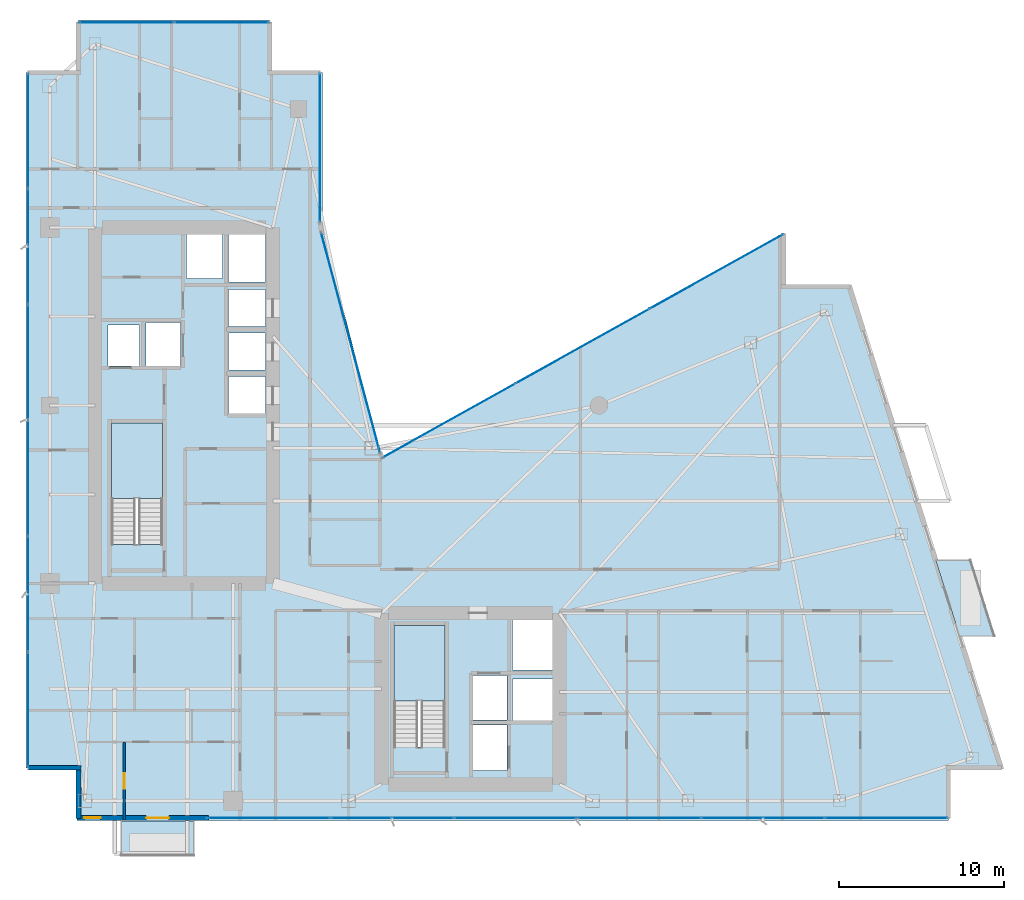
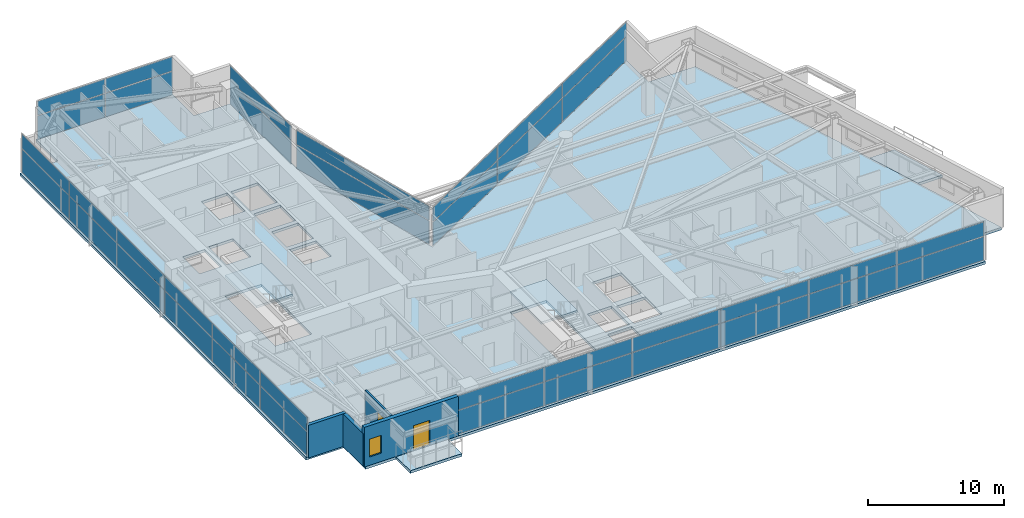
# One storey, part 21 of 28: 38 plates, 5 slabs, 4 walls, 2 doors, 1 window, 3 openings, 8 elements without a shape of their own.
"""IFC4 building model written with IfcOpenShell, lengths in metres."""

from ifc_helpers import new_model, si_unit, direction, frame, frame_2d, origin, origin_2d, place, context, subcontext, project, spatial, polyline, rectangle, outline, extrude, material, layer, layer_set, type_object, element, fill, aggregate, save


model = new_model("IFC4")

# Units and contexts
model_context = context("Model", 3, precision=1e-05, world=origin(), true_north=direction((0.0, 1.0)))
body_context = subcontext(model_context, "Body", "Model", "MODEL_VIEW")
ifc_project = project(units=[si_unit("LENGTHUNIT", "METRE"), si_unit("AREAUNIT", "SQUARE_METRE"), si_unit("VOLUMEUNIT", "CUBIC_METRE"), si_unit("PLANEANGLEUNIT", "RADIAN"), si_unit("MASSUNIT", "GRAM", prefix="KILO")], contexts=[model_context])

# Site, building, storey
site_placement = place(None, origin())
site = spatial("IfcSite", under=ifc_project, at=site_placement, CompositionType="ELEMENT")
building_placement = place(site_placement, origin())
building = spatial("IfcBuilding", under=site, at=building_placement, Name="Calvorn Quay Hotel", CompositionType="ELEMENT")
storey_placement = place(building_placement, frame((0.0, 0.0, 156.10009765625)))
storey = spatial("IfcBuildingStorey", under=building, at=storey_placement, Name="L38", CompositionType="ELEMENT", Elevation=156.10009765625)

# Curtain wall, plates
ifc_material_1 = material(Name="Pale Anodised Aluminium and Low-E Glass", Category="aluminium")
ifc_layer_1 = layer(ifc_material_1, 0.219970703125)
ifc_layer_set_1 = layer_set([ifc_layer_1], Name="CW-SYS-Z2")
curtain_wall_type = type_object("IfcCurtainWallType", Name="CW-SYS-Z2", PredefinedType="NOTDEFINED", material=ifc_layer_set_1)
curtain_wall_1_placement = place(storey_placement, origin())
curtain_wall_1 = element("IfcCurtainWall", 1, at=curtain_wall_1_placement, inside=storey, type_object=curtain_wall_type, Name="Tower West Curtain Wall (L38)", PredefinedType="NOTDEFINED")
ifc_material_2 = material(Name="Low-E Laminated Double Glazing", Category="glass")
ifc_layer_2 = layer(ifc_material_2, 0.028076171875)
ifc_layer_set_2 = layer_set([ifc_layer_2], Name="CW-SYS-Z2-PAN")
plate_type = type_object("IfcPlateType", Name="CW-SYS-Z2-PAN", PredefinedType="CURTAIN_PANEL", material=ifc_layer_set_2)
plate_1_placement = place(storey_placement, frame((0.14990234375, 9.131591796875, 0.06005859375), z_axis=(0.0, 0.0, 1.0), x_axis=(0.0, 1.0, 0.0)))
plate_1 = element("IfcPlate", 2, at=plate_1_placement, type_object=plate_type, Name="CW-L38-W panel 1.1", PredefinedType="CURTAIN_PANEL", context=body_context, shape_type="SweptSolid", body=[
    extrude(rectangle(XDim=6.943359375, YDim=0.028076171875, at=origin_2d()), origin(), (0.0, 0.0, 1.0), 2.110107421875),
])
plate_2_placement = place(storey_placement, frame((0.14990234375, 9.131591796875, 2.22998046875), z_axis=(0.0, 0.0, 1.0), x_axis=(0.0, 1.0, 0.0)))
plate_2 = element("IfcPlate", 3, at=plate_2_placement, type_object=plate_type, Name="CW-L38-W panel 1.2", PredefinedType="CURTAIN_PANEL", context=body_context, shape_type="SweptSolid", body=[
    extrude(rectangle(XDim=6.943359375, YDim=0.028076171875, at=origin_2d()), origin(), (0.0, 0.0, 1.0), 1.27001953125),
])
plate_3_placement = place(storey_placement, frame((0.14990234375, 16.14990234375, 0.06005859375), z_axis=(0.0, 0.0, 1.0), x_axis=(0.0, 1.0, 0.0)))
plate_3 = element("IfcPlate", 4, at=plate_3_placement, type_object=plate_type, Name="CW-L38-W panel 2.1", PredefinedType="CURTAIN_PANEL", context=body_context, shape_type="SweptSolid", body=[
    extrude(rectangle(XDim=6.973388671875, YDim=0.028076171875, at=origin_2d()), origin(), (0.0, 0.0, 1.0), 2.110107421875),
])
plate_4_placement = place(storey_placement, frame((0.14990234375, 16.14990234375, 2.22998046875), z_axis=(0.0, 0.0, 1.0), x_axis=(0.0, 1.0, 0.0)))
plate_4 = element("IfcPlate", 5, at=plate_4_placement, type_object=plate_type, Name="CW-L38-W panel 2.2", PredefinedType="CURTAIN_PANEL", context=body_context, shape_type="SweptSolid", body=[
    extrude(rectangle(XDim=6.973388671875, YDim=0.028076171875, at=origin_2d()), origin(), (0.0, 0.0, 1.0), 1.27001953125),
])
plate_5_placement = place(storey_placement, frame((0.14990234375, 23.183349609375, 0.06005859375), z_axis=(0.0, 0.0, 1.0), x_axis=(0.0, 1.0, 0.0)))
plate_5 = element("IfcPlate", 6, at=plate_5_placement, type_object=plate_type, Name="CW-L38-W panel 3.1", PredefinedType="CURTAIN_PANEL", context=body_context, shape_type="SweptSolid", body=[
    extrude(rectangle(XDim=6.973388671875, YDim=0.028076171875, at=origin_2d()), origin(), (0.0, 0.0, 1.0), 2.110107421875),
])
plate_6_placement = place(storey_placement, frame((0.14990234375, 23.183349609375, 2.22998046875), z_axis=(0.0, 0.0, 1.0), x_axis=(0.0, 1.0, 0.0)))
plate_6 = element("IfcPlate", 7, at=plate_6_placement, type_object=plate_type, Name="CW-L38-W panel 3.2", PredefinedType="CURTAIN_PANEL", context=body_context, shape_type="SweptSolid", body=[
    extrude(rectangle(XDim=6.973388671875, YDim=0.028076171875, at=origin_2d()), origin(), (0.0, 0.0, 1.0), 1.27001953125),
])
plate_7_placement = place(storey_placement, frame((0.14990234375, 30.216552734375, 0.06005859375), z_axis=(0.0, 0.0, 1.0), x_axis=(0.0, 1.0, 0.0)))
plate_7 = element("IfcPlate", 8, at=plate_7_placement, type_object=plate_type, Name="CW-L38-W panel 4.1", PredefinedType="CURTAIN_PANEL", context=body_context, shape_type="SweptSolid", body=[
    extrude(rectangle(XDim=6.973388671875, YDim=0.028076171875, at=origin_2d()), origin(), (0.0, 0.0, 1.0), 2.110107421875),
])
plate_8_placement = place(storey_placement, frame((0.14990234375, 30.216552734375, 2.22998046875), z_axis=(0.0, 0.0, 1.0), x_axis=(0.0, 1.0, 0.0)))
plate_8 = element("IfcPlate", 9, at=plate_8_placement, type_object=plate_type, Name="CW-L38-W panel 4.2", PredefinedType="CURTAIN_PANEL", context=body_context, shape_type="SweptSolid", body=[
    extrude(rectangle(XDim=6.973388671875, YDim=0.028076171875, at=origin_2d()), origin(), (0.0, 0.0, 1.0), 1.27001953125),
])
plate_9_placement = place(storey_placement, frame((0.14990234375, 37.25, 0.06005859375), z_axis=(0.0, 0.0, 1.0), x_axis=(0.0, 1.0, 0.0)))
plate_9 = element("IfcPlate", 10, at=plate_9_placement, type_object=plate_type, Name="CW-L38-W panel 5.1", PredefinedType="CURTAIN_PANEL", context=body_context, shape_type="SweptSolid", body=[
    extrude(rectangle(XDim=6.973388671875, YDim=0.028076171875, at=origin_2d()), origin(), (0.0, 0.0, 1.0), 2.110107421875),
])
plate_10_placement = place(storey_placement, frame((0.14990234375, 37.25, 2.22998046875), z_axis=(0.0, 0.0, 1.0), x_axis=(0.0, 1.0, 0.0)))
plate_10 = element("IfcPlate", 11, at=plate_10_placement, type_object=plate_type, Name="CW-L38-W panel 5.2", PredefinedType="CURTAIN_PANEL", context=body_context, shape_type="SweptSolid", body=[
    extrude(rectangle(XDim=6.973388671875, YDim=0.028076171875, at=origin_2d()), origin(), (0.0, 0.0, 1.0), 1.27001953125),
])
plate_11_placement = place(storey_placement, frame((0.14990234375, 44.268310546875, 0.06005859375), z_axis=(0.0, 0.0, 1.0), x_axis=(0.0, 1.0, 0.0)))
plate_11 = element("IfcPlate", 12, at=plate_11_placement, type_object=plate_type, Name="CW-L38-W panel 6.1", PredefinedType="CURTAIN_PANEL", context=body_context, shape_type="SweptSolid", body=[
    extrude(rectangle(XDim=6.943359375, YDim=0.028076171875, at=origin_2d()), origin(), (0.0, 0.0, 1.0), 2.110107421875),
])
plate_12_placement = place(storey_placement, frame((0.14990234375, 44.268310546875, 2.22998046875), z_axis=(0.0, 0.0, 1.0), x_axis=(0.0, 1.0, 0.0)))
plate_12 = element("IfcPlate", 13, at=plate_12_placement, type_object=plate_type, Name="CW-L38-W panel 6.2", PredefinedType="CURTAIN_PANEL", context=body_context, shape_type="SweptSolid", body=[
    extrude(rectangle(XDim=6.943359375, YDim=0.028076171875, at=origin_2d()), origin(), (0.0, 0.0, 1.0), 1.27001953125),
])
aggregate(curtain_wall_1, [plate_1, plate_2, plate_3, plate_4, plate_5, plate_6, plate_7, plate_8, plate_9, plate_10, plate_11, plate_12])

curtain_wall_2_placement = place(storey_placement, origin())
curtain_wall_2 = element("IfcCurtainWall", 14, at=curtain_wall_2_placement, inside=storey, type_object=curtain_wall_type, Name="Tower South Waterfront Curtain Wall (L38)", PredefinedType="NOTDEFINED")
plate_13_placement = place(storey_placement, frame((14.764892578125, 2.550048828125, 0.06005859375), z_axis=(0.0, 0.0, 1.0), x_axis=(1.0, 0.0, 0.0)))
plate_13 = element("IfcPlate", 15, at=plate_13_placement, type_object=plate_type, Name="CW-L38-S panel 1.1", PredefinedType="CURTAIN_PANEL", context=body_context, shape_type="SweptSolid", body=[
    extrude(rectangle(XDim=7.409912109375, YDim=0.028076171875, at=origin_2d()), origin(), (0.0, 0.0, 1.0), 2.110107421875),
])
plate_14_placement = place(storey_placement, frame((14.764892578125, 2.550048828125, 2.22998046875), z_axis=(0.0, 0.0, 1.0), x_axis=(1.0, 0.0, 0.0)))
plate_14 = element("IfcPlate", 16, at=plate_14_placement, type_object=plate_type, Name="CW-L38-S panel 1.2", PredefinedType="CURTAIN_PANEL", context=body_context, shape_type="SweptSolid", body=[
    extrude(rectangle(XDim=7.409912109375, YDim=0.028076171875, at=origin_2d()), origin(), (0.0, 0.0, 1.0), 1.27001953125),
])
plate_15_placement = place(storey_placement, frame((22.25, 2.550048828125, 0.06005859375), z_axis=(0.0, 0.0, 1.0), x_axis=(1.0, 0.0, 0.0)))
plate_15 = element("IfcPlate", 17, at=plate_15_placement, type_object=plate_type, Name="CW-L38-S panel 2.1", PredefinedType="CURTAIN_PANEL", context=body_context, shape_type="SweptSolid", body=[
    extrude(rectangle(XDim=7.43994140625, YDim=0.028076171875, at=origin_2d()), origin(), (0.0, 0.0, 1.0), 2.110107421875),
])
plate_16_placement = place(storey_placement, frame((22.25, 2.550048828125, 2.22998046875), z_axis=(0.0, 0.0, 1.0), x_axis=(1.0, 0.0, 0.0)))
plate_16 = element("IfcPlate", 18, at=plate_16_placement, type_object=plate_type, Name="CW-L38-S panel 2.2", PredefinedType="CURTAIN_PANEL", context=body_context, shape_type="SweptSolid", body=[
    extrude(rectangle(XDim=7.43994140625, YDim=0.028076171875, at=origin_2d()), origin(), (0.0, 0.0, 1.0), 1.27001953125),
])
plate_17_placement = place(storey_placement, frame((29.75, 2.550048828125, 0.06005859375), z_axis=(0.0, 0.0, 1.0), x_axis=(1.0, 0.0, 0.0)))
plate_17 = element("IfcPlate", 19, at=plate_17_placement, type_object=plate_type, Name="CW-L38-S panel 3.1", PredefinedType="CURTAIN_PANEL", context=body_context, shape_type="SweptSolid", body=[
    extrude(rectangle(XDim=7.43994140625, YDim=0.028076171875, at=origin_2d()), origin(), (0.0, 0.0, 1.0), 2.110107421875),
])
plate_18_placement = place(storey_placement, frame((29.75, 2.550048828125, 2.22998046875), z_axis=(0.0, 0.0, 1.0), x_axis=(1.0, 0.0, 0.0)))
plate_18 = element("IfcPlate", 20, at=plate_18_placement, type_object=plate_type, Name="CW-L38-S panel 3.2", PredefinedType="CURTAIN_PANEL", context=body_context, shape_type="SweptSolid", body=[
    extrude(rectangle(XDim=7.43994140625, YDim=0.028076171875, at=origin_2d()), origin(), (0.0, 0.0, 1.0), 1.27001953125),
])
plate_19_placement = place(storey_placement, frame((37.25, 2.550048828125, 0.06005859375), z_axis=(0.0, 0.0, 1.0), x_axis=(1.0, 0.0, 0.0)))
plate_19 = element("IfcPlate", 21, at=plate_19_placement, type_object=plate_type, Name="CW-L38-S panel 4.1", PredefinedType="CURTAIN_PANEL", context=body_context, shape_type="SweptSolid", body=[
    extrude(rectangle(XDim=7.43994140625, YDim=0.028076171875, at=origin_2d()), origin(), (0.0, 0.0, 1.0), 2.110107421875),
])
plate_20_placement = place(storey_placement, frame((37.25, 2.550048828125, 2.22998046875), z_axis=(0.0, 0.0, 1.0), x_axis=(1.0, 0.0, 0.0)))
plate_20 = element("IfcPlate", 22, at=plate_20_placement, type_object=plate_type, Name="CW-L38-S panel 4.2", PredefinedType="CURTAIN_PANEL", context=body_context, shape_type="SweptSolid", body=[
    extrude(rectangle(XDim=7.43994140625, YDim=0.028076171875, at=origin_2d()), origin(), (0.0, 0.0, 1.0), 1.27001953125),
])
plate_21_placement = place(storey_placement, frame((44.75, 2.550048828125, 0.06005859375), z_axis=(0.0, 0.0, 1.0), x_axis=(1.0, 0.0, 0.0)))
plate_21 = element("IfcPlate", 23, at=plate_21_placement, type_object=plate_type, Name="CW-L38-S panel 5.1", PredefinedType="CURTAIN_PANEL", context=body_context, shape_type="SweptSolid", body=[
    extrude(rectangle(XDim=7.43994140625, YDim=0.028076171875, at=origin_2d()), origin(), (0.0, 0.0, 1.0), 2.110107421875),
])
plate_22_placement = place(storey_placement, frame((44.75, 2.550048828125, 2.22998046875), z_axis=(0.0, 0.0, 1.0), x_axis=(1.0, 0.0, 0.0)))
plate_22 = element("IfcPlate", 24, at=plate_22_placement, type_object=plate_type, Name="CW-L38-S panel 5.2", PredefinedType="CURTAIN_PANEL", context=body_context, shape_type="SweptSolid", body=[
    extrude(rectangle(XDim=7.43994140625, YDim=0.028076171875, at=origin_2d()), origin(), (0.0, 0.0, 1.0), 1.27001953125),
])
plate_23_placement = place(storey_placement, frame((52.235107421875, 2.550048828125, 0.06005859375), z_axis=(0.0, 0.0, 1.0), x_axis=(1.0, 0.0, 0.0)))
plate_23 = element("IfcPlate", 25, at=plate_23_placement, type_object=plate_type, Name="CW-L38-S panel 6.1", PredefinedType="CURTAIN_PANEL", context=body_context, shape_type="SweptSolid", body=[
    extrude(rectangle(XDim=7.409912109375, YDim=0.028076171875, at=origin_2d()), origin(), (0.0, 0.0, 1.0), 2.110107421875),
])
plate_24_placement = place(storey_placement, frame((52.235107421875, 2.550048828125, 2.22998046875), z_axis=(0.0, 0.0, 1.0), x_axis=(1.0, 0.0, 0.0)))
plate_24 = element("IfcPlate", 26, at=plate_24_placement, type_object=plate_type, Name="CW-L38-S panel 6.2", PredefinedType="CURTAIN_PANEL", context=body_context, shape_type="SweptSolid", body=[
    extrude(rectangle(XDim=7.409912109375, YDim=0.028076171875, at=origin_2d()), origin(), (0.0, 0.0, 1.0), 1.27001953125),
])
aggregate(curtain_wall_2, [plate_13, plate_14, plate_15, plate_16, plate_17, plate_18, plate_19, plate_20, plate_21, plate_22, plate_23, plate_24])

curtain_wall_3_placement = place(storey_placement, origin())
curtain_wall_3 = element("IfcCurtainWall", 27, at=curtain_wall_3_placement, inside=storey, type_object=curtain_wall_type, Name="Inner Court Curtain Wall L38-NE1", PredefinedType="NOTDEFINED")
plate_25_placement = place(storey_placement, frame((41.920166015625, 35.72607421875, 0.06005859375), z_axis=(0.0, 0.0, 1.0), x_axis=(-0.873480989116, -0.486858256224, 0.0)))
plate_25 = element("IfcPlate", 28, at=plate_25_placement, type_object=plate_type, Name="CW-L38-NE1 panel 1.1", PredefinedType="CURTAIN_PANEL", context=body_context, shape_type="SweptSolid", body=[
    extrude(rectangle(XDim=9.221435546875, YDim=0.028076171875, at=origin_2d()), origin(), (0.0, 0.0, 1.0), 2.110107421875),
])
plate_26_placement = place(storey_placement, frame((41.920166015625, 35.72607421875, 2.22998046875), z_axis=(0.0, 0.0, 1.0), x_axis=(-0.873480989116, -0.486858256224, 0.0)))
plate_26 = element("IfcPlate", 29, at=plate_26_placement, type_object=plate_type, Name="CW-L38-NE1 panel 1.2", PredefinedType="CURTAIN_PANEL", context=body_context, shape_type="SweptSolid", body=[
    extrude(rectangle(XDim=9.221435546875, YDim=0.028076171875, at=origin_2d()), origin(), (0.0, 0.0, 1.0), 1.27001953125),
])
plate_27_placement = place(storey_placement, frame((33.800048828125, 31.199951171875, 0.06005859375), z_axis=(0.0, 0.0, 1.0), x_axis=(-0.873480989116, -0.486858256224, 0.0)))
plate_27 = element("IfcPlate", 30, at=plate_27_placement, type_object=plate_type, Name="CW-L38-NE1 panel 2.1", PredefinedType="CURTAIN_PANEL", context=body_context, shape_type="SweptSolid", body=[
    extrude(rectangle(XDim=9.25146484375, YDim=0.028076171875, at=origin_2d()), origin(), (0.0, 0.0, 1.0), 2.110107421875),
])
plate_28_placement = place(storey_placement, frame((33.800048828125, 31.199951171875, 2.22998046875), z_axis=(0.0, 0.0, 1.0), x_axis=(-0.873480989116, -0.486858256224, 0.0)))
plate_28 = element("IfcPlate", 31, at=plate_28_placement, type_object=plate_type, Name="CW-L38-NE1 panel 2.2", PredefinedType="CURTAIN_PANEL", context=body_context, shape_type="SweptSolid", body=[
    extrude(rectangle(XDim=9.25146484375, YDim=0.028076171875, at=origin_2d()), origin(), (0.0, 0.0, 1.0), 1.27001953125),
])
plate_29_placement = place(storey_placement, frame((25.6796875, 26.674072265625, 0.06005859375), z_axis=(0.0, 0.0, 1.0), x_axis=(-0.873480989116, -0.486858256224, 0.0)))
plate_29 = element("IfcPlate", 32, at=plate_29_placement, type_object=plate_type, Name="CW-L38-NE1 panel 3.1", PredefinedType="CURTAIN_PANEL", context=body_context, shape_type="SweptSolid", body=[
    extrude(rectangle(XDim=9.221435546875, YDim=0.028076171875, at=origin_2d()), origin(), (0.0, 0.0, 1.0), 2.110107421875),
])
plate_30_placement = place(storey_placement, frame((25.6796875, 26.674072265625, 2.22998046875), z_axis=(0.0, 0.0, 1.0), x_axis=(-0.873480989116, -0.486858256224, 0.0)))
plate_30 = element("IfcPlate", 33, at=plate_30_placement, type_object=plate_type, Name="CW-L38-NE1 panel 3.2", PredefinedType="CURTAIN_PANEL", context=body_context, shape_type="SweptSolid", body=[
    extrude(rectangle(XDim=9.221435546875, YDim=0.028076171875, at=origin_2d()), origin(), (0.0, 0.0, 1.0), 1.27001953125),
])
aggregate(curtain_wall_3, [plate_25, plate_26, plate_27, plate_28, plate_29, plate_30])

curtain_wall_4_placement = place(storey_placement, origin())
curtain_wall_4 = element("IfcCurtainWall", 34, at=curtain_wall_4_placement, inside=storey, type_object=curtain_wall_type, Name="Inner Court Curtain Wall L38-IC1", PredefinedType="NOTDEFINED")
plate_31_placement = place(storey_placement, frame((19.72509765625, 31.39990234375, 0.06005859375), z_axis=(0.0, 0.0, 1.0), x_axis=(-0.25877913024, 0.96593652056, 0.0)))
plate_31 = element("IfcPlate", 35, at=plate_31_placement, type_object=plate_type, Name="CW-L38-IC1 panel 1.1", PredefinedType="CURTAIN_PANEL", context=body_context, shape_type="SweptSolid", body=[
    extrude(rectangle(XDim=13.814697265625, YDim=0.028076171875, at=origin_2d()), origin(), (0.0, 0.0, 1.0), 2.110107421875),
])
plate_32_placement = place(storey_placement, frame((19.72509765625, 31.39990234375, 2.22998046875), z_axis=(0.0, 0.0, 1.0), x_axis=(-0.25877913024, 0.96593652056, 0.0)))
plate_32 = element("IfcPlate", 36, at=plate_32_placement, type_object=plate_type, Name="CW-L38-IC1 panel 1.2", PredefinedType="CURTAIN_PANEL", context=body_context, shape_type="SweptSolid", body=[
    extrude(rectangle(XDim=13.814697265625, YDim=0.028076171875, at=origin_2d()), origin(), (0.0, 0.0, 1.0), 1.27001953125),
])
aggregate(curtain_wall_4, [plate_31, plate_32])

curtain_wall_5_placement = place(storey_placement, origin())
curtain_wall_5 = element("IfcCurtainWall", 37, at=curtain_wall_5_placement, inside=storey, type_object=curtain_wall_type, Name="Inner Court Curtain Wall L38-IC2", PredefinedType="NOTDEFINED")
plate_33_placement = place(storey_placement, frame((17.85009765625, 43.239990234375, 0.06005859375), z_axis=(0.0, 0.0, 1.0), x_axis=(0.0, 1.0, 0.0)))
plate_33 = element("IfcPlate", 38, at=plate_33_placement, type_object=plate_type, Name="CW-L38-IC2 panel 1.1", PredefinedType="CURTAIN_PANEL", context=body_context, shape_type="SweptSolid", body=[
    extrude(rectangle(XDim=9.0, YDim=0.028076171875, at=origin_2d()), origin(), (0.0, 0.0, 1.0), 2.110107421875),
])
plate_34_placement = place(storey_placement, frame((17.85009765625, 43.239990234375, 2.22998046875), z_axis=(0.0, 0.0, 1.0), x_axis=(0.0, 1.0, 0.0)))
plate_34 = element("IfcPlate", 39, at=plate_34_placement, type_object=plate_type, Name="CW-L38-IC2 panel 1.2", PredefinedType="CURTAIN_PANEL", context=body_context, shape_type="SweptSolid", body=[
    extrude(rectangle(XDim=9.0, YDim=0.028076171875, at=origin_2d()), origin(), (0.0, 0.0, 1.0), 1.27001953125),
])
aggregate(curtain_wall_5, [plate_33, plate_34])

curtain_wall_6_placement = place(storey_placement, origin())
curtain_wall_6 = element("IfcCurtainWall", 40, at=curtain_wall_6_placement, inside=storey, type_object=curtain_wall_type, Name="Inner Court Curtain Wall L38-N1", PredefinedType="NOTDEFINED")
plate_35_placement = place(storey_placement, frame((11.885009765625, 50.85009765625, 0.06005859375), z_axis=(0.0, 0.0, 1.0), x_axis=(-1.0, 0.0, 0.0)))
plate_35 = element("IfcPlate", 41, at=plate_35_placement, type_object=plate_type, Name="CW-L38-N1 panel 1.1", PredefinedType="CURTAIN_PANEL", context=body_context, shape_type="SweptSolid", body=[
    extrude(rectangle(XDim=5.7099609375, YDim=0.028076171875, at=origin_2d()), origin(), (0.0, 0.0, 1.0), 2.110107421875),
])
plate_36_placement = place(storey_placement, frame((11.885009765625, 50.85009765625, 2.22998046875), z_axis=(0.0, 0.0, 1.0), x_axis=(-1.0, 0.0, 0.0)))
plate_36 = element("IfcPlate", 42, at=plate_36_placement, type_object=plate_type, Name="CW-L38-N1 panel 1.2", PredefinedType="CURTAIN_PANEL", context=body_context, shape_type="SweptSolid", body=[
    extrude(rectangle(XDim=5.7099609375, YDim=0.028076171875, at=origin_2d()), origin(), (0.0, 0.0, 1.0), 1.27001953125),
])
plate_37_placement = place(storey_placement, frame((6.114990234375, 50.85009765625, 0.06005859375), z_axis=(0.0, 0.0, 1.0), x_axis=(-1.0, 0.0, 0.0)))
plate_37 = element("IfcPlate", 43, at=plate_37_placement, type_object=plate_type, Name="CW-L38-N1 panel 2.1", PredefinedType="CURTAIN_PANEL", context=body_context, shape_type="SweptSolid", body=[
    extrude(rectangle(XDim=5.7099609375, YDim=0.028076171875, at=origin_2d()), origin(), (0.0, 0.0, 1.0), 2.110107421875),
])
plate_38_placement = place(storey_placement, frame((6.114990234375, 50.85009765625, 2.22998046875), z_axis=(0.0, 0.0, 1.0), x_axis=(-1.0, 0.0, 0.0)))
plate_38 = element("IfcPlate", 44, at=plate_38_placement, type_object=plate_type, Name="CW-L38-N1 panel 2.2", PredefinedType="CURTAIN_PANEL", context=body_context, shape_type="SweptSolid", body=[
    extrude(rectangle(XDim=5.7099609375, YDim=0.028076171875, at=origin_2d()), origin(), (0.0, 0.0, 1.0), 1.27001953125),
])
aggregate(curtain_wall_6, [plate_35, plate_36, plate_37, plate_38])

# Slabs
ifc_material_3 = material(Name="Concrete C40", Category="concrete")
ifc_layer_3 = layer(ifc_material_3, 0.239990234375)
ifc_layer_set_3 = layer_set([ifc_layer_3], Name="SLB-BALCONY-220")
slab_type_1 = type_object("IfcSlabType", Name="SLB-BALCONY-220", PredefinedType="FLOOR", material=ifc_layer_set_3)
slab_1_placement = place(storey_placement, frame((0.0, 0.0, -0.239990234375)))
element("IfcSlab", 45, at=slab_1_placement, inside=storey, type_object=slab_type_1, Name="Tree Balcony Slab L38-BALC-E", PredefinedType="FLOOR", context=body_context, shape_type="SweptSolid", body=[
    extrude(outline(polyline([(56.68896484375, 13.60009765625), (58.7890625, 13.60009765625), (57.340087890625, 18.199951171875), (55.239990234375, 18.199951171875), (56.68896484375, 13.60009765625)])), origin(), (0.0, 0.0, 1.0), 0.239990234375),
])
slab_2_placement = place(storey_placement, frame((0.0, 0.0, -0.239990234375)))
element("IfcSlab", 46, at=slab_2_placement, inside=storey, type_object=slab_type_1, Name="Tree Balcony Slab L38-BALC-S", PredefinedType="FLOOR", context=body_context, shape_type="SweptSolid", body=[
    extrude(outline(polyline([(5.800048828125, 0.2900390625), (10.199951171875, 0.2900390625), (10.199951171875, 2.389892578125), (5.800048828125, 2.389892578125), (5.800048828125, 0.2900390625)])), origin(), (0.0, 0.0, 1.0), 0.239990234375),
])

# Stair, slab
ifc_material_4 = material(Name="Concrete C40", Category="concrete")
stair_type = type_object("IfcStairType", Name="STR-CORE-DOGLEG", PredefinedType="HALF_TURN_STAIR", material=ifc_material_4)
stair_1_placement = place(storey_placement, origin())
stair_1 = element("IfcStair", 47, at=stair_1_placement, inside=storey, type_object=stair_type, Name="L38 ST-W", PredefinedType="HALF_TURN_STAIR")
ifc_material_5 = material(Name="Concrete C40", Category="concrete")
ifc_layer_4 = layer(ifc_material_5, 0.199951171875)
ifc_layer_set_4 = layer_set([ifc_layer_4], Name="SLB-STAIR-LANDING-200")
slab_type_2 = type_object("IfcSlabType", Name="SLB-STAIR-LANDING-200", PredefinedType="LANDING", material=ifc_layer_set_4)
slab_3_placement = place(storey_placement, frame((0.0, 0.0, 1.699951171875)))
slab_3 = element("IfcSlab", 48, at=slab_3_placement, type_object=slab_type_2, Name="ST-W landing 1", PredefinedType="LANDING", context=body_context, shape_type="SweptSolid", body=[
    extrude(outline(polyline([(8.300048828125, 21.949951171875), (8.300048828125, 26.550048828125), (5.199951171875, 26.550048828125), (5.199951171875, 21.949951171875), (8.300048828125, 21.949951171875)])), origin(), (0.0, 0.0, 1.0), 0.199951171875),
])
aggregate(stair_1, [slab_3])

stair_2_placement = place(storey_placement, origin())
stair_2 = element("IfcStair", 49, at=stair_2_placement, inside=storey, type_object=stair_type, Name="L38 ST-E", PredefinedType="HALF_TURN_STAIR")
slab_4_placement = place(storey_placement, frame((0.0, 0.0, 1.699951171875)))
slab_4 = element("IfcSlab", 50, at=slab_4_placement, type_object=slab_type_2, Name="ST-E landing 1", PredefinedType="LANDING", context=body_context, shape_type="SweptSolid", body=[
    extrude(outline(polyline([(25.449951171875, 9.64990234375), (25.449951171875, 14.25), (22.35009765625, 14.25), (22.35009765625, 9.64990234375), (25.449951171875, 9.64990234375)])), origin(), (0.0, 0.0, 1.0), 0.199951171875),
])
aggregate(stair_2, [slab_4])

# Slab
ifc_material_6 = material(Name="Concrete C40", Category="concrete")
ifc_layer_5 = layer(ifc_material_6, 0.239990234375)
ifc_layer_set_5 = layer_set([ifc_layer_5], Name="SLB-TOWER-240")
slab_type_3 = type_object("IfcSlabType", Name="SLB-TOWER-240", PredefinedType="FLOOR", material=ifc_layer_set_5)
slab_5_placement = place(storey_placement, frame((0.0, 0.0, -0.239990234375)))
element("IfcSlab", 51, at=slab_5_placement, inside=storey, type_object=slab_type_3, Name="L38 Structural Floor Slab", PredefinedType="FLOOR", context=body_context, shape_type="SweptSolid", body=[
    extrude(outline(polyline([(0.0, 5.60009765625), (3.199951171875, 5.60009765625), (3.199951171875, 2.39990234375), (56.0, 2.39990234375), (56.0, 5.60009765625), (59.199951171875, 5.60009765625), (50.0, 34.800048828125), (46.0, 34.800048828125), (46.0, 38.0), (21.60009765625, 24.39990234375), (18.0, 38.39990234375), (18.0, 47.800048828125), (14.800048828125, 47.800048828125), (14.800048828125, 51.0), (3.199951171875, 51.0), (3.199951171875, 47.800048828125), (0.0, 47.800048828125), (0.0, 5.60009765625)]), holes=[polyline([(5.199951171875, 19.156005859375), (8.300048828125, 19.156005859375), (8.300048828125, 26.550048828125), (5.199951171875, 26.550048828125), (5.199951171875, 19.156005859375)]), polyline([(22.35009765625, 6.85595703125), (25.449951171875, 6.85595703125), (25.449951171875, 14.25), (22.35009765625, 14.25), (22.35009765625, 6.85595703125)]), polyline([(5.0, 30.0), (6.89990234375, 30.0), (6.89990234375, 32.5), (5.0, 32.5), (5.0, 30.0)]), polyline([(7.300048828125, 30.0), (9.39990234375, 30.0), (9.39990234375, 32.64990234375), (7.300048828125, 32.64990234375), (7.300048828125, 30.0)]), polyline([(27.159912109375, 8.5), (29.2099609375, 8.5), (29.2099609375, 11.199951171875), (27.159912109375, 11.199951171875), (27.159912109375, 8.5)]), polyline([(27.159912109375, 5.449951171875), (29.2099609375, 5.449951171875), (29.2099609375, 8.199951171875), (27.159912109375, 8.199951171875), (27.159912109375, 5.449951171875)]), polyline([(12.300048828125, 27.10009765625), (14.56494140625, 27.10009765625), (14.56494140625, 29.35009765625), (12.300048828125, 29.35009765625), (12.300048828125, 27.10009765625)]), polyline([(12.300048828125, 29.75), (14.56494140625, 29.75), (14.56494140625, 32.0), (12.300048828125, 32.0), (12.300048828125, 29.75)]), polyline([(12.300048828125, 32.39990234375), (14.56494140625, 32.39990234375), (14.56494140625, 34.64990234375), (12.300048828125, 34.64990234375), (12.300048828125, 32.39990234375)]), polyline([(12.300048828125, 35.10009765625), (14.56494140625, 35.10009765625), (14.56494140625, 37.965087890625), (12.300048828125, 37.965087890625), (12.300048828125, 35.10009765625)]), polyline([(9.75, 35.300048828125), (11.949951171875, 35.300048828125), (11.949951171875, 37.965087890625), (9.75, 37.965087890625), (9.75, 35.300048828125)]), polyline([(29.550048828125, 11.550048828125), (31.965087890625, 11.550048828125), (31.965087890625, 14.56494140625), (29.550048828125, 14.56494140625), (29.550048828125, 11.550048828125)]), polyline([(29.550048828125, 8.449951171875), (31.965087890625, 8.449951171875), (31.965087890625, 11.0), (29.550048828125, 11.0), (29.550048828125, 8.449951171875)])]), origin(), (0.0, 0.0, 1.0), 0.239990234375),
])

# Wall, openings, door, window
ifc_material_7 = material(Name="Concrete C40", Category="concrete")
ifc_layer_6 = layer(ifc_material_7, 0.320068359375)
ifc_layer_set_6 = layer_set([ifc_layer_6], Name="WL-EXT-SPANDREL-320")
wall_type_1 = type_object("IfcWallType", Name="WL-EXT-SPANDREL-320", PredefinedType="SOLIDWALL", material=ifc_layer_set_6)
wall_1_placement = place(storey_placement, frame((3.10009765625, 2.56005859375, 0.0), z_axis=(0.0, 0.0, 1.0), x_axis=(1.0, 0.0, 0.0)))
wall_1 = element("IfcWall", 52, at=wall_1_placement, inside=storey, type_object=wall_type_1, Name="South Balcony Exterior Wall (L38)", PredefinedType="SOLIDWALL", context=body_context, shape_type="SweptSolid", body=[
    extrude(rectangle(XDim=8.0, YDim=0.320068359375, at=frame_2d((4.0, 0.0))), origin(), (0.0, 0.0, 1.0), 3.559814453125),
])
opening_1_placement = place(wall_1_placement, frame((0.449951171875, 0.0, 0.75)))
opening_1 = element("IfcOpeningElement", 53, at=opening_1_placement, cuts=wall_1, Name="Opening WSB-L38-1", PredefinedType="OPENING", context=body_context, shape_type="SweptSolid", body=[
    extrude(rectangle(XDim=1.0, YDim=1.60009765625, at=frame_2d((0.5, 0.800048828125))), frame((0.0, 0.169921875, 0.0), z_axis=(0.0, -1.0, 0.0), x_axis=(1.0, 0.0, 0.0)), (0.0, 0.0, 1.0), 0.340087890625),
])
opening_2_placement = place(wall_1_placement, frame((4.199951171875, 0.0, 0.0)))
opening_2 = element("IfcOpeningElement", 54, at=opening_2_placement, cuts=wall_1, Name="Opening DB-L38-2", PredefinedType="OPENING", context=body_context, shape_type="SweptSolid", body=[
    extrude(rectangle(XDim=1.39990234375, YDim=2.25, at=frame_2d((0.699951171875, 1.125))), frame((0.0, 0.169921875, 0.0), z_axis=(0.0, -1.0, 0.0), x_axis=(1.0, 0.0, 0.0)), (0.0, 0.0, 1.0), 0.340087890625),
])
ifc_material_8 = material(Name="Typhoon-Rated Low-E Aluminium Terrace Door", Category="aluminium")
door_type_1 = type_object("IfcDoorType", Name="DR-BALCONY-GLZ-1400", OperationType="NOTDEFINED", PredefinedType="DOOR", material=ifc_material_8)
door_1_placement = place(opening_2_placement, origin())
door_1 = element("IfcDoor", 55, at=door_1_placement, inside=storey, type_object=door_type_1, Name="Tree Balcony Terrace Door L38-BALC-S", OperationType="SINGLE_SWING_LEFT", OverallHeight=2.25, OverallWidth=1.39990234375, PredefinedType="DOOR", context=body_context, shape_type="SweptSolid", body=[
    extrude(rectangle(XDim=1.39990234375, YDim=2.25, at=frame_2d((0.699951171875, 1.125))), frame((0.0, 0.02490234375, 0.0), z_axis=(0.0, -1.0, 0.0), x_axis=(1.0, 0.0, 0.0)), (0.0, 0.0, 1.0), 0.050048828125),
])
fill(opening_2, door_1)
ifc_material_9 = material(Name="Self-Closing Class B Side Fire Window")
window_type = type_object("IfcWindowType", Name="WIN-REFUGE-NARROW-1000x1600", PartitioningType="SINGLE_PANEL", PredefinedType="WINDOW", material=ifc_material_9)
window_placement = place(opening_1_placement, origin())
window = element("IfcWindow", 56, at=window_placement, inside=storey, type_object=window_type, Name="South Waterfront Side Window (L38)", OverallHeight=1.60009765625, OverallWidth=1.0, PartitioningType="SINGLE_PANEL", PredefinedType="WINDOW", context=body_context, shape_type="SweptSolid", body=[
    extrude(rectangle(XDim=1.0, YDim=1.60009765625, at=frame_2d((0.5, 0.800048828125))), frame((0.0, 0.030029296875, 0.0), z_axis=(0.0, -1.0, 0.0), x_axis=(1.0, 0.0, 0.0)), (0.0, 0.0, 1.0), 0.06005859375),
])
fill(opening_1, window)

# Walls
wall_2_placement = place(storey_placement, frame((0.1201171875, 5.60009765625, 0.0), z_axis=(0.0, 0.0, 1.0), x_axis=(1.0, 0.0, 0.0)))
element("IfcWall", 57, at=wall_2_placement, inside=storey, type_object=wall_type_1, Name="Notched Corner Spandrel L38-SW1", PredefinedType="SOLIDWALL", context=body_context, shape_type="SweptSolid", body=[
    extrude(rectangle(XDim=3.219970703125, YDim=0.280029296875, at=frame_2d((1.60986328125, 0.0))), origin(), (0.0, 0.0, 1.0), 2.93994140625),
])
wall_3_placement = place(storey_placement, frame((3.199951171875, 5.4599609375, 0.0), z_axis=(0.0, 0.0, 1.0), x_axis=(0.0, -1.0, 0.0)))
element("IfcWall", 58, at=wall_3_placement, inside=storey, type_object=wall_type_1, Name="Notched Corner Spandrel L38-SW2", PredefinedType="SOLIDWALL", context=body_context, shape_type="SweptSolid", body=[
    extrude(rectangle(XDim=2.93994140625, YDim=0.280029296875, at=frame_2d((1.469970703125, 0.0))), origin(), (0.0, 0.0, 1.0), 2.93994140625),
])

# Wall, opening, door
ifc_material_10 = material(Name="Double-Stud Acoustic Gypsum Partition")
ifc_layer_7 = layer(ifc_material_10, 0.159912109375)
ifc_layer_set_7 = layer_set([ifc_layer_7], Name="WL-INTERSUITE-160")
wall_type_2 = type_object("IfcWallType", Name="WL-INTERSUITE-160", PredefinedType="PARTITIONING", material=ifc_layer_set_7)
wall_4_placement = place(storey_placement, frame((5.97998046875, 2.43994140625, 0.0), z_axis=(0.0, 0.0, 1.0), x_axis=(0.0, 1.0, 0.0)))
wall_4 = element("IfcWall", 59, at=wall_4_placement, inside=storey, type_object=wall_type_2, Name="Partition Wall L38-WL-U01-MSP", PredefinedType="PARTITIONING", context=body_context, shape_type="SweptSolid", body=[
    extrude(rectangle(XDim=4.72998046875, YDim=0.159912109375, at=frame_2d((2.364990234375, 0.0))), origin(), (0.0, 0.0, 1.0), 3.039794921875),
])
opening_3_placement = place(wall_4_placement, frame((1.889892578125, 0.0, 0.0)))
opening_3 = element("IfcOpeningElement", 60, at=opening_3_placement, cuts=wall_4, Name="Opening D-L38-M01", PredefinedType="OPENING", context=body_context, shape_type="SweptSolid", body=[
    extrude(rectangle(XDim=0.9599609375, YDim=2.199951171875, at=frame_2d((0.47998046875, 1.10009765625))), frame((0.0, 0.08984375, 0.0), z_axis=(0.0, -1.0, 0.0), x_axis=(1.0, 0.0, 0.0)), (0.0, 0.0, 1.0), 0.179931640625),
])
ifc_material_11 = material(Name="Solid Timber Internal Suite Door", Category="wood")
door_type_2 = type_object("IfcDoorType", Name="DR-SUITE-INT-960", OperationType="NOTDEFINED", PredefinedType="DOOR", material=ifc_material_11)
door_2_placement = place(opening_3_placement, origin())
door_2 = element("IfcDoor", 61, at=door_2_placement, inside=storey, type_object=door_type_2, Name="Suite Bedroom Door 01", OperationType="SINGLE_SWING_LEFT", OverallHeight=2.199951171875, OverallWidth=0.9599609375, PredefinedType="DOOR", context=body_context, shape_type="SweptSolid", body=[
    extrude(rectangle(XDim=0.9599609375, YDim=2.199951171875, at=frame_2d((0.47998046875, 1.10009765625))), frame((0.0, 0.02490234375, 0.0), z_axis=(0.0, -1.0, 0.0), x_axis=(1.0, 0.0, 0.0)), (0.0, 0.0, 1.0), 0.050048828125),
])
fill(opening_3, door_2)

save(model, "model.ifc")
